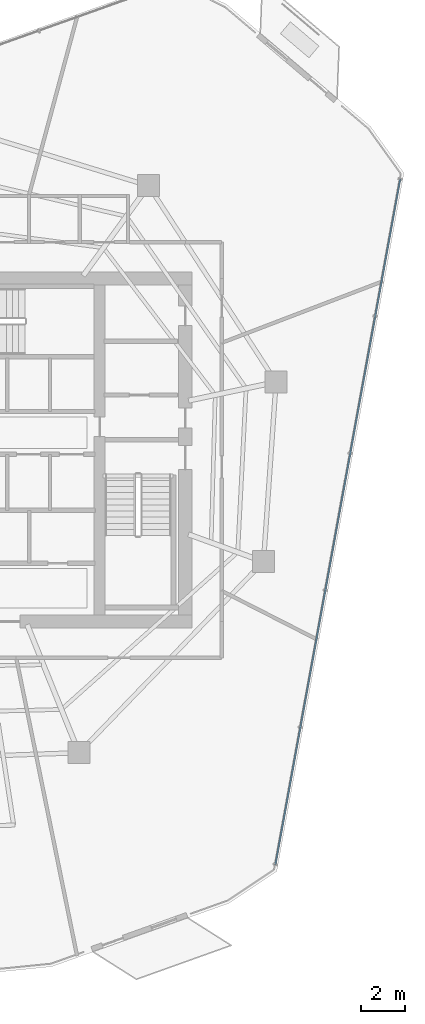
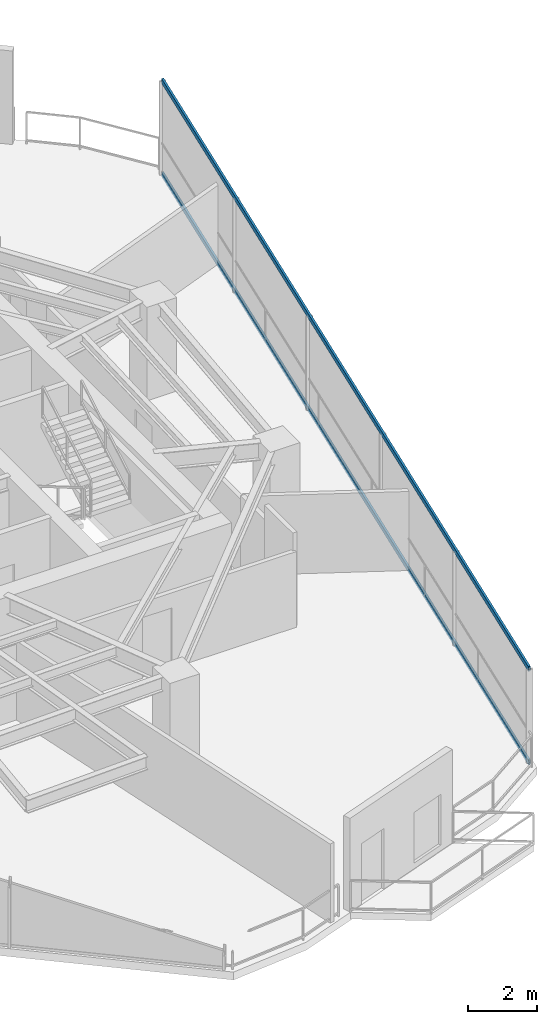
# One storey, part 10 of 21: 2 members, 1 element without a shape of its own.
"""IFC4 building model written with IfcOpenShell, lengths in metres."""

from ifc_helpers import new_model, si_unit, direction, frame, origin, origin_2d, place, context, subcontext, project, spatial, hollow_rectangle, extrude, material, layer, layer_set, material_profile, profile_set, type_object, element, aggregate, save


model = new_model("IFC4")

# Units and contexts
model_context = context("Model", 3, precision=1e-05, world=origin(), true_north=direction((0.0, 1.0)))
body_context = subcontext(model_context, "Body", "Model", "MODEL_VIEW")
ifc_project = project(units=[si_unit("LENGTHUNIT", "METRE"), si_unit("AREAUNIT", "SQUARE_METRE"), si_unit("VOLUMEUNIT", "CUBIC_METRE"), si_unit("PLANEANGLEUNIT", "RADIAN"), si_unit("MASSUNIT", "GRAM", prefix="KILO")], contexts=[model_context])

# Site, building, storey
site_placement = place(None, origin())
site = spatial("IfcSite", under=ifc_project, at=site_placement, CompositionType="ELEMENT")
building_placement = place(site_placement, origin())
building = spatial("IfcBuilding", under=site, at=building_placement, Name="Qarnah Convention Tower", CompositionType="ELEMENT")
storey_placement = place(building_placement, frame((0.0, 0.0, 140.10009765625)))
storey = spatial("IfcBuildingStorey", under=building, at=storey_placement, Name="L37", CompositionType="ELEMENT", Elevation=140.10009765625)

# Curtain wall, members
ifc_material_1 = material(Name="Tempered Low-E dark glass", Category="glass")
ifc_layer = layer(ifc_material_1, 0.172119140625)
ifc_layer_set = layer_set([ifc_layer], Name="Tempered Low-E dark glass")
curtain_wall_type = type_object("IfcCurtainWallType", Name="CWS-03", PredefinedType="NOTDEFINED", material=ifc_layer_set)
curtain_wall_placement = place(storey_placement, origin())
curtain_wall = element("IfcCurtainWall", 1, at=curtain_wall_placement, inside=storey, type_object=curtain_wall_type, Name="L37 unitised curtain wall CW-L37-F1", PredefinedType="NOTDEFINED")
ifc_material_2 = material(Name="Black anodised aluminium", Category="aluminium")
ifc_material_profile = material_profile(ifc_material_2, hollow_rectangle(XDim=0.070068359375, YDim=0.169921875, WallThickness=0.0048828125, at=origin_2d()), Name="TRN-70X170")
ifc_profile_set = profile_set([ifc_material_profile], Name="Black anodised aluminium")
member_type = type_object("IfcMemberType", Name="TRN-T3", PredefinedType="USERDEFINED", material=ifc_profile_set)
member_1_placement = place(storey_placement, frame((57.37109375, 38.718017578125, 0.0), z_axis=(-0.17913431705, -0.98382462688, 0.0), x_axis=(0.98382462688, -0.17913431705, 0.0)))
member_1 = element("IfcMember", 2, at=member_1_placement, type_object=member_type, Name="CW-L37-F1 transom 1", ObjectType="TRANSOM", PredefinedType="USERDEFINED", context=body_context, shape_type="SweptSolid", body=[
    extrude(hollow_rectangle(XDim=0.070068359375, YDim=0.169921875, WallThickness=0.0048828125, at=origin_2d()), origin(), (0.0, 0.0, 1.0), 31.680419921875),
])
member_2_placement = place(storey_placement, frame((57.37109375, 38.718017578125, 3.31982421875), z_axis=(-0.17913431705, -0.98382462688, 0.0), x_axis=(0.98382462688, -0.17913431705, 0.0)))
member_2 = element("IfcMember", 3, at=member_2_placement, type_object=member_type, Name="CW-L37-F1 transom 2", ObjectType="TRANSOM", PredefinedType="USERDEFINED", context=body_context, shape_type="SweptSolid", body=[
    extrude(hollow_rectangle(XDim=0.070068359375, YDim=0.169921875, WallThickness=0.0048828125, at=origin_2d()), origin(), (0.0, 0.0, 1.0), 31.680419921875),
])
aggregate(curtain_wall, [member_1, member_2])

save(model, "model.ifc")
